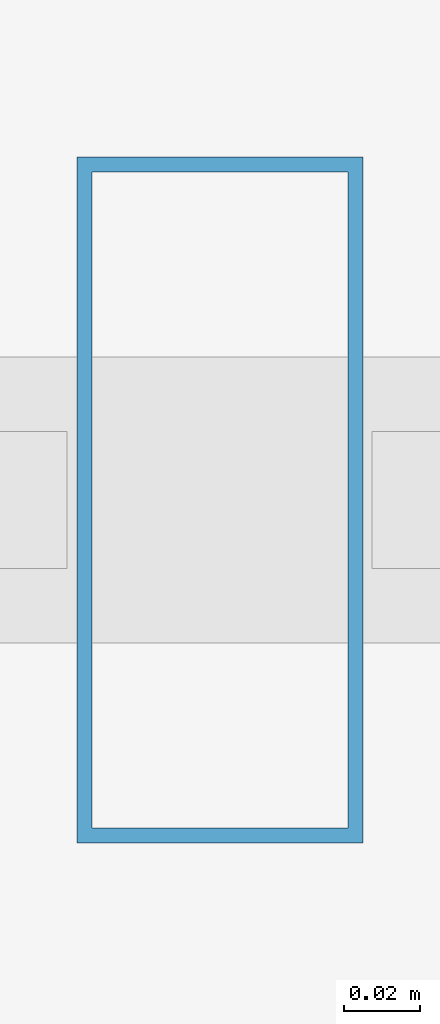
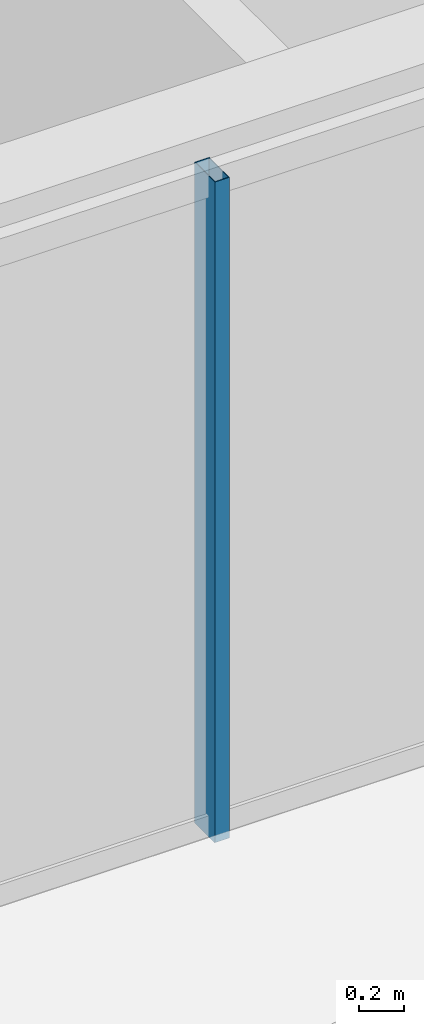
# One storey, part 16 of 37: 1 member, 1 element without a shape of its own.
"""IFC4 building model written with IfcOpenShell, lengths in metres."""

from ifc_helpers import new_model, si_unit, direction, frame, origin, origin_2d, place, context, subcontext, project, spatial, hollow_rectangle, extrude, material, layer, layer_set, material_profile, profile_set, type_object, element, aggregate, save


model = new_model("IFC4")

# Units and contexts
model_context = context("Model", 3, precision=1e-05, world=origin(), true_north=direction((0.0, 1.0)))
body_context = subcontext(model_context, "Body", "Model", "MODEL_VIEW")
ifc_project = project(units=[si_unit("LENGTHUNIT", "METRE"), si_unit("AREAUNIT", "SQUARE_METRE"), si_unit("VOLUMEUNIT", "CUBIC_METRE"), si_unit("PLANEANGLEUNIT", "RADIAN"), si_unit("MASSUNIT", "GRAM", prefix="KILO")], contexts=[model_context])

# Site, building, storey
site_placement = place(None, origin())
site = spatial("IfcSite", under=ifc_project, at=site_placement, CompositionType="ELEMENT")
building_placement = place(site_placement, origin())
building = spatial("IfcBuilding", under=site, at=building_placement, Name="Ndaravel Arena Tower", CompositionType="ELEMENT")
storey_placement = place(building_placement, frame((0.0, 0.0, 218.0)))
storey = spatial("IfcBuildingStorey", under=building, at=storey_placement, Name="L52", CompositionType="ELEMENT", Elevation=218.0)

# Curtain wall, member
ifc_material_1 = material(Name="Aluminium", Category="aluminium")
ifc_layer = layer(ifc_material_1, 0.179931640625)
ifc_layer_set = layer_set([ifc_layer], Name="Aluminium")
curtain_wall_type = type_object("IfcCurtainWallType", Name="CW-SYS-03", PredefinedType="NOTDEFINED", material=ifc_layer_set)
curtain_wall_placement = place(storey_placement, origin())
curtain_wall = element("IfcCurtainWall", 1, at=curtain_wall_placement, inside=storey, type_object=curtain_wall_type, Name="L52 Faceted Crystal Curtain Wall CW-L52-E01", PredefinedType="NOTDEFINED")
ifc_material_2 = material(Name="Aluminium", Category="aluminium")
ifc_material_profile = material_profile(ifc_material_2, hollow_rectangle(XDim=0.074951171875, YDim=0.179931640625, WallThickness=0.00390625, at=origin_2d()), Name="CW MULLION 75x180x4")
ifc_profile_set = profile_set([ifc_material_profile], Name="Aluminium")
member_type = type_object("IfcMemberType", Name="MEM-CW-MUL180", PredefinedType="MULLION", material=ifc_profile_set)
member_placement = place(storey_placement, frame((52.79638671875, 5.159912109375, 0.0), z_axis=(0.0, 0.0, 1.0), x_axis=(1.0, 0.0, 0.0)))
member = element("IfcMember", 2, at=member_placement, type_object=member_type, Name="CW-L52-E01 Mullion 07", PredefinedType="MULLION", context=body_context, shape_type="SweptSolid", body=[
    extrude(hollow_rectangle(XDim=0.074951171875, YDim=0.179931640625, WallThickness=0.00390625, at=origin_2d()), origin(), (0.0, 0.0, 1.0), 3.580078125),
])
aggregate(curtain_wall, [member])

save(model, "model.ifc")
